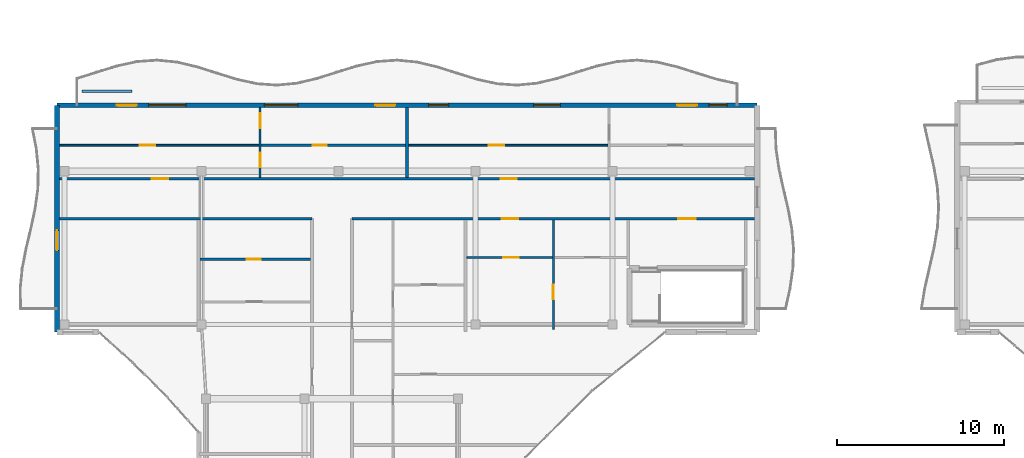
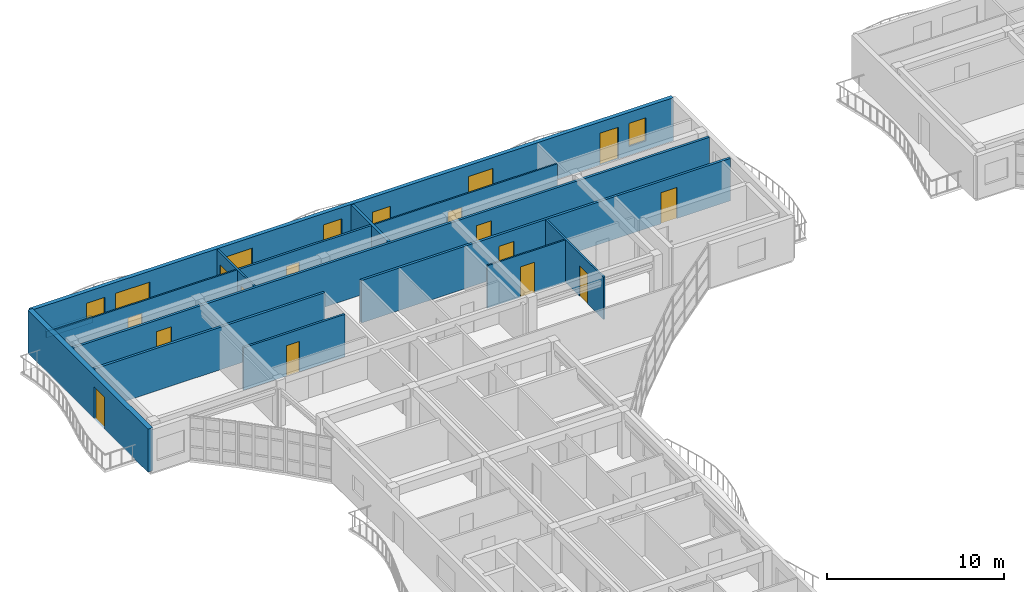
# One storey, part 27 of 49: 16 doors, 14 walls, 5 windows, 21 openings.
"""IFC4 building model written with IfcOpenShell, lengths in metres."""

from ifc_helpers import new_model, si_unit, direction, frame, frame_2d, origin, place, context, subcontext, project, spatial, rectangle, extrude, material, layer, layer_set, type_object, element, fill, save


model = new_model("IFC4")

# Units and contexts
model_context = context("Model", 3, precision=1e-05, world=origin(), true_north=direction((0.0, 1.0)))
body_context = subcontext(model_context, "Body", "Model", "MODEL_VIEW")
ifc_project = project(units=[si_unit("LENGTHUNIT", "METRE"), si_unit("AREAUNIT", "SQUARE_METRE"), si_unit("VOLUMEUNIT", "CUBIC_METRE"), si_unit("PLANEANGLEUNIT", "RADIAN"), si_unit("MASSUNIT", "GRAM", prefix="KILO")], contexts=[model_context])

# Site, building, storey
site_placement = place(None, origin())
site = spatial("IfcSite", under=ifc_project, at=site_placement, CompositionType="ELEMENT")
building_placement = place(site_placement, origin())
building = spatial("IfcBuilding", under=site, at=building_placement, Name="Keldmere Railside Commons", CompositionType="ELEMENT")
storey_placement = place(building_placement, frame((0.0, 0.0, 29.760009765625)))
storey = spatial("IfcBuildingStorey", under=building, at=storey_placement, Name="L09", CompositionType="ELEMENT", Elevation=29.760009765625)

# Wall
ifc_material_1 = material(Name="Acoustic Gypsum Board Partition", Category="gypsum")
ifc_layer_1 = layer(ifc_material_1, 0.179931640625, Name="Acoustic Demising Partition 180")
ifc_layer_set_1 = layer_set([ifc_layer_1], Name="Acoustic Gypsum Board Partition")
wall_type_1 = type_object("IfcWallType", Name="Acoustic Demising Partition 180", PredefinedType="PARTITIONING", material=ifc_layer_set_1)
wall_1_placement = place(storey_placement, frame((60.5, 109.280029296875, 0.0), z_axis=(0.0, 0.0, 1.0), x_axis=(0.0, 1.0, 0.0)))
element("IfcWall", 1, at=wall_1_placement, inside=storey, type_object=wall_type_1, Name="IW-1 IW-L09-0882", PredefinedType="PARTITIONING", context=body_context, shape_type="SweptSolid", body=[
    extrude(rectangle(XDim=4.18994140625, YDim=0.179931640625, at=frame_2d((2.094970703125, 0.0))), origin(), (0.0, 0.0, 1.0), 2.93505859375),
])

# Wall, openings, doors
ifc_layer_2 = layer(ifc_material_1, 0.1201171875, Name="Apartment Interior Partition 120")
ifc_layer_set_2 = layer_set([ifc_layer_2], Name="Acoustic Gypsum Board Partition")
wall_type_2 = type_object("IfcWallType", Name="Apartment Interior Partition 120", PredefinedType="PARTITIONING", material=ifc_layer_set_2)
wall_2_placement = place(storey_placement, frame((51.68994140625, 109.280029296875, 0.0), z_axis=(0.0, 0.0, 1.0), x_axis=(0.0, 1.0, 0.0)))
wall_2 = element("IfcWall", 2, at=wall_2_placement, inside=storey, type_object=wall_type_2, Name="IW-4 IW-L09-0883", PredefinedType="PARTITIONING", context=body_context, shape_type="SweptSolid", body=[
    extrude(rectangle(XDim=4.18994140625, YDim=0.1201171875, at=frame_2d((2.094970703125, 0.0))), origin(), (0.0, 0.0, 1.0), 2.93505859375),
])
opening_1_placement = place(wall_2_placement, frame((0.61767578125, 0.0, 0.0)))
opening_1 = element("IfcOpeningElement", 3, at=opening_1_placement, cuts=wall_2, Name="Opening ID-04", PredefinedType="OPENING", context=body_context, shape_type="SweptSolid", body=[
    extrude(rectangle(XDim=0.860107421875, YDim=2.10009765625, at=frame_2d((0.43017578125, 1.050048828125))), frame((0.0, 0.070068359375, 0.0), z_axis=(0.0, -1.0, 0.0), x_axis=(1.0, 0.0, 0.0)), (0.0, 0.0, 1.0), 0.14013671875),
])
opening_2_placement = place(wall_2_placement, frame((2.947021484375, 0.0, 0.0)))
opening_2 = element("IfcOpeningElement", 4, at=opening_2_placement, cuts=wall_2, Name="Opening ID-01", PredefinedType="OPENING", context=body_context, shape_type="SweptSolid", body=[
    extrude(rectangle(XDim=0.89990234375, YDim=2.10009765625, at=frame_2d((0.449951171875, 1.050048828125))), frame((0.0, 0.070068359375, 0.0), z_axis=(0.0, -1.0, 0.0), x_axis=(1.0, 0.0, 0.0)), (0.0, 0.0, 1.0), 0.14013671875),
])
ifc_material_2 = material(Name="Engineered Oak Timber", Category="wood")
door_type_1 = type_object("IfcDoorType", Name="Apartment Bathroom Door 860x2100", OperationType="NOTDEFINED", PredefinedType="DOOR", material=ifc_material_2)
door_1_placement = place(opening_1_placement, origin())
door_1 = element("IfcDoor", 5, at=door_1_placement, inside=storey, type_object=door_type_1, Name="ID-04 IDR-L09-0762", OperationType="SINGLE_SWING_RIGHT", OverallHeight=2.10009765625, OverallWidth=0.860107421875, PredefinedType="DOOR", context=body_context, shape_type="SweptSolid", body=[
    extrude(rectangle(XDim=0.860107421875, YDim=2.10009765625, at=frame_2d((0.43017578125, 1.050048828125))), frame((0.0, 0.02490234375, 0.0), z_axis=(0.0, -1.0, 0.0), x_axis=(1.0, 0.0, 0.0)), (0.0, 0.0, 1.0), 0.050048828125),
])
fill(opening_1, door_1)
door_type_2 = type_object("IfcDoorType", Name="Primary Bedroom Door 900x2100", OperationType="NOTDEFINED", PredefinedType="DOOR", material=ifc_material_2)
door_2_placement = place(opening_2_placement, origin())
door_2 = element("IfcDoor", 6, at=door_2_placement, inside=storey, type_object=door_type_2, Name="ID-01 IDR-L09-0763", OperationType="SINGLE_SWING_LEFT", OverallHeight=2.10009765625, OverallWidth=0.89990234375, PredefinedType="DOOR", context=body_context, shape_type="SweptSolid", body=[
    extrude(rectangle(XDim=0.89990234375, YDim=2.10009765625, at=frame_2d((0.449951171875, 1.050048828125))), frame((0.0, 0.02490234375, 0.0), z_axis=(0.0, -1.0, 0.0), x_axis=(1.0, 0.0, 0.0)), (0.0, 0.0, 1.0), 0.050048828125),
])
fill(opening_2, door_2)

# Wall, opening, door
wall_3_placement = place(storey_placement, frame((69.280029296875, 100.159912109375, 0.0), z_axis=(0.0, 0.0, 1.0), x_axis=(0.0, 1.0, 0.0)))
wall_3 = element("IfcWall", 7, at=wall_3_placement, inside=storey, type_object=wall_type_2, Name="IW-4 IW-L09-0889", PredefinedType="PARTITIONING", context=body_context, shape_type="SweptSolid", body=[
    extrude(rectangle(XDim=6.56005859375, YDim=0.1201171875, at=frame_2d((3.280029296875, 0.0))), origin(), (0.0, 0.0, 1.0), 2.93505859375),
])
opening_3_placement = place(wall_3_placement, frame((1.810302734375, 0.0, 0.0)))
opening_3 = element("IfcOpeningElement", 8, at=opening_3_placement, cuts=wall_3, Name="Opening ID-02", PredefinedType="OPENING", context=body_context, shape_type="SweptSolid", body=[
    extrude(rectangle(XDim=0.8798828125, YDim=2.10009765625, at=frame_2d((0.43994140625, 1.050048828125))), frame((0.0, 0.070068359375, 0.0), z_axis=(0.0, -1.0, 0.0), x_axis=(1.0, 0.0, 0.0)), (0.0, 0.0, 1.0), 0.14013671875),
])
door_type_3 = type_object("IfcDoorType", Name="Secondary Bedroom Door 880x2100", OperationType="NOTDEFINED", PredefinedType="DOOR", material=ifc_material_2)
door_3_placement = place(opening_3_placement, origin())
door_3 = element("IfcDoor", 9, at=door_3_placement, inside=storey, type_object=door_type_3, Name="ID-02 IDR-L09-0771", OperationType="SINGLE_SWING_LEFT", OverallHeight=2.10009765625, OverallWidth=0.8798828125, PredefinedType="DOOR", context=body_context, shape_type="SweptSolid", body=[
    extrude(rectangle(XDim=0.8798828125, YDim=2.10009765625, at=frame_2d((0.43994140625, 1.050048828125))), frame((0.0, 0.02490234375, 0.0), z_axis=(0.0, -1.0, 0.0), x_axis=(1.0, 0.0, 0.0)), (0.0, 0.0, 1.0), 0.050048828125),
])
fill(opening_3, door_3)

# Wall
ifc_material_3 = material(Name="White Precast Concrete H-35 (C35/45)", Category="concrete")
ifc_layer_3 = layer(ifc_material_3, 0.169921875, Name="Balcony Planter Kerb Wall 170")
ifc_layer_set_3 = layer_set([ifc_layer_3], Name="White Precast Concrete H-35 (C35/45)")
wall_type_3 = type_object("IfcWallType", Name="Balcony Planter Kerb Wall 170", PredefinedType="PARAPET", material=ifc_layer_set_3)
wall_4_placement = place(storey_placement, frame((41.0, 114.449951171875, 0.0), z_axis=(0.0, 0.0, 1.0), x_axis=(1.0, 0.0, 0.0)))
element("IfcWall", 10, at=wall_4_placement, inside=storey, type_object=wall_type_3, Name="PW-2 PKBC-L09-0405", PredefinedType="PARAPET", context=body_context, shape_type="SweptSolid", body=[
    extrude(rectangle(XDim=3.0, YDim=0.169921875, at=frame_2d((1.5, 0.0))), origin(), (0.0, 0.0, 1.0), 0.449951171875),
])

# Wall, opening, door
ifc_layer_4 = layer(ifc_material_1, 0.10009765625, Name="Closet Light Partition 100")
ifc_layer_set_4 = layer_set([ifc_layer_4], Name="Acoustic Gypsum Board Partition")
wall_type_4 = type_object("IfcWallType", Name="Closet Light Partition 100", PredefinedType="PARTITIONING", material=ifc_layer_set_4)
wall_5_placement = place(storey_placement, frame((39.659912109375, 111.2099609375, 0.0), z_axis=(0.0, 0.0, 1.0), x_axis=(1.0, 0.0, 0.0)))
wall_5 = element("IfcWall", 11, at=wall_5_placement, inside=storey, type_object=wall_type_4, Name="IW-6 IW-L09-0885", PredefinedType="PARTITIONING", context=body_context, shape_type="SweptSolid", body=[
    extrude(rectangle(XDim=11.969970703125, YDim=0.10009765625, at=frame_2d((5.98486328125, 0.0))), origin(), (0.0, 0.0, 1.0), 2.93505859375),
])
opening_4_placement = place(wall_5_placement, frame((4.81201171875, 0.0, 0.0)))
opening_4 = element("IfcOpeningElement", 12, at=opening_4_placement, cuts=wall_5, Name="Opening ID-03", PredefinedType="OPENING", context=body_context, shape_type="SweptSolid", body=[
    extrude(rectangle(XDim=0.919921875, YDim=2.10009765625, at=frame_2d((0.4599609375, 1.050048828125))), frame((0.0, 0.06005859375, 0.0), z_axis=(0.0, -1.0, 0.0), x_axis=(1.0, 0.0, 0.0)), (0.0, 0.0, 1.0), 0.1201171875),
])
door_type_4 = type_object("IfcDoorType", Name="Kitchen Pocket-Frame Swing Door 920x2100", OperationType="NOTDEFINED", PredefinedType="DOOR", material=ifc_material_2)
door_4_placement = place(opening_4_placement, origin())
door_4 = element("IfcDoor", 13, at=door_4_placement, inside=storey, type_object=door_type_4, Name="ID-03 IDR-L09-0761", OperationType="SINGLE_SWING_LEFT", OverallHeight=2.10009765625, OverallWidth=0.919921875, PredefinedType="DOOR", context=body_context, shape_type="SweptSolid", body=[
    extrude(rectangle(XDim=0.919921875, YDim=2.10009765625, at=frame_2d((0.4599609375, 1.050048828125))), frame((0.0, 0.02490234375, 0.0), z_axis=(0.0, -1.0, 0.0), x_axis=(1.0, 0.0, 0.0)), (0.0, 0.0, 1.0), 0.050048828125),
])
fill(opening_4, door_4)

wall_6_placement = place(storey_placement, frame((60.590087890625, 111.2099609375, 0.0), z_axis=(0.0, 0.0, 1.0), x_axis=(1.0, 0.0, 0.0)))
wall_6 = element("IfcWall", 14, at=wall_6_placement, inside=storey, type_object=wall_type_4, Name="IW-6 IW-L09-0888", PredefinedType="PARTITIONING", context=body_context, shape_type="SweptSolid", body=[
    extrude(rectangle(XDim=11.969970703125, YDim=0.10009765625, at=frame_2d((5.98486328125, 0.0))), origin(), (0.0, 0.0, 1.0), 2.93505859375),
])
opening_5_placement = place(wall_6_placement, frame((4.81201171875, 0.0, 0.0)))
opening_5 = element("IfcOpeningElement", 15, at=opening_5_placement, cuts=wall_6, Name="Opening ID-03", PredefinedType="OPENING", context=body_context, shape_type="SweptSolid", body=[
    extrude(rectangle(XDim=0.919921875, YDim=2.10009765625, at=frame_2d((0.4599609375, 1.050048828125))), frame((0.0, 0.06005859375, 0.0), z_axis=(0.0, -1.0, 0.0), x_axis=(1.0, 0.0, 0.0)), (0.0, 0.0, 1.0), 0.1201171875),
])
door_5_placement = place(opening_5_placement, origin())
door_5 = element("IfcDoor", 16, at=door_5_placement, inside=storey, type_object=door_type_4, Name="ID-03 IDR-L09-0766", OperationType="SINGLE_SWING_RIGHT", OverallHeight=2.10009765625, OverallWidth=0.919921875, PredefinedType="DOOR", context=body_context, shape_type="SweptSolid", body=[
    extrude(rectangle(XDim=0.919921875, YDim=2.10009765625, at=frame_2d((0.4599609375, 1.050048828125))), frame((0.0, 0.02490234375, 0.0), z_axis=(0.0, -1.0, 0.0), x_axis=(1.0, 0.0, 0.0)), (0.0, 0.0, 1.0), 0.050048828125),
])
fill(opening_5, door_5)

wall_7_placement = place(storey_placement, frame((64.090087890625, 104.469970703125, 0.0), z_axis=(0.0, 0.0, 1.0), x_axis=(1.0, 0.0, 0.0)))
wall_7 = element("IfcWall", 17, at=wall_7_placement, inside=storey, type_object=wall_type_4, Name="IW-6 IW-L09-0891", PredefinedType="PARTITIONING", context=body_context, shape_type="SweptSolid", body=[
    extrude(rectangle(XDim=5.1298828125, YDim=0.10009765625, at=frame_2d((2.56494140625, 0.0))), origin(), (0.0, 0.0, 1.0), 2.93505859375),
])
opening_6_placement = place(wall_7_placement, frame((2.1796875, 0.0, 0.0)))
opening_6 = element("IfcOpeningElement", 18, at=opening_6_placement, cuts=wall_7, Name="Opening ID-03", PredefinedType="OPENING", context=body_context, shape_type="SweptSolid", body=[
    extrude(rectangle(XDim=0.919921875, YDim=2.10009765625, at=frame_2d((0.4599609375, 1.050048828125))), frame((0.0, 0.06005859375, 0.0), z_axis=(0.0, -1.0, 0.0), x_axis=(1.0, 0.0, 0.0)), (0.0, 0.0, 1.0), 0.1201171875),
])
door_6_placement = place(opening_6_placement, origin())
door_6 = element("IfcDoor", 19, at=door_6_placement, inside=storey, type_object=door_type_4, Name="ID-03 IDR-L09-0770", OperationType="SINGLE_SWING_RIGHT", OverallHeight=2.10009765625, OverallWidth=0.919921875, PredefinedType="DOOR", context=body_context, shape_type="SweptSolid", body=[
    extrude(rectangle(XDim=0.919921875, YDim=2.10009765625, at=frame_2d((0.4599609375, 1.050048828125))), frame((0.0, 0.02490234375, 0.0), z_axis=(0.0, -1.0, 0.0), x_axis=(1.0, 0.0, 0.0)), (0.0, 0.0, 1.0), 0.050048828125),
])
fill(opening_6, door_6)

# Wall
ifc_layer_5 = layer(ifc_material_1, 0.159912109375, Name="Corridor Fire Partition 160")
ifc_layer_set_5 = layer_set([ifc_layer_5], Name="Acoustic Gypsum Board Partition")
wall_type_5 = type_object("IfcWallType", Name="Corridor Fire Partition 160", PredefinedType="PARTITIONING", material=ifc_layer_set_5)
wall_8_placement = place(storey_placement, frame((39.659912109375, 106.800048828125, 0.0), z_axis=(0.0, 0.0, 1.0), x_axis=(1.0, 0.0, 0.0)))
element("IfcWall", 20, at=wall_8_placement, inside=storey, type_object=wall_type_5, Name="IW-2 IW-L09-0861", PredefinedType="PARTITIONING", context=body_context, shape_type="SweptSolid", body=[
    extrude(rectangle(XDim=15.14013671875, YDim=0.159912109375, at=frame_2d((7.570068359375, 0.0))), origin(), (0.0, 0.0, 1.0), 2.93505859375),
])

# Wall, openings, doors
wall_9_placement = place(storey_placement, frame((57.199951171875, 106.800048828125, 0.0), z_axis=(0.0, 0.0, 1.0), x_axis=(1.0, 0.0, 0.0)))
wall_9 = element("IfcWall", 21, at=wall_9_placement, inside=storey, type_object=wall_type_5, Name="IW-2 IW-L09-0862", PredefinedType="PARTITIONING", context=body_context, shape_type="SweptSolid", body=[
    extrude(rectangle(XDim=24.14013671875, YDim=0.159912109375, at=frame_2d((12.070068359375, 0.0))), origin(), (0.0, 0.0, 1.0), 2.93505859375),
])
opening_7_placement = place(wall_9_placement, frame((19.574951171875, 0.0, 0.0)))
opening_7 = element("IfcOpeningElement", 22, at=opening_7_placement, cuts=wall_9, Name="Opening FD-1", PredefinedType="OPENING", context=body_context, shape_type="SweptSolid", body=[
    extrude(rectangle(XDim=1.050048828125, YDim=2.14990234375, at=frame_2d((0.52490234375, 1.074951171875))), frame((0.0, 0.08984375, 0.0), z_axis=(0.0, -1.0, 0.0), x_axis=(1.0, 0.0, 0.0)), (0.0, 0.0, 1.0), 0.179931640625),
])
opening_8_placement = place(wall_9_placement, frame((8.9951171875, 0.0, 0.0)))
opening_8 = element("IfcOpeningElement", 23, at=opening_8_placement, cuts=wall_9, Name="Opening FD-7", PredefinedType="OPENING", context=body_context, shape_type="SweptSolid", body=[
    extrude(rectangle(XDim=0.97998046875, YDim=2.14990234375, at=frame_2d((0.489990234375, 1.074951171875))), frame((0.0, 0.08984375, 0.0), z_axis=(0.0, -1.0, 0.0), x_axis=(1.0, 0.0, 0.0)), (0.0, 0.0, 1.0), 0.179931640625),
])
door_type_5 = type_object("IfcDoorType", Name="Apartment Entrance Acoustic Fire Door 980x2150", OperationType="NOTDEFINED", PredefinedType="DOOR", material=ifc_material_2)
door_7_placement = place(opening_8_placement, origin())
door_7 = element("IfcDoor", 24, at=door_7_placement, inside=storey, type_object=door_type_5, Name="FD-7 IDR-L09-0769", OperationType="SINGLE_SWING_LEFT", OverallHeight=2.14990234375, OverallWidth=0.97998046875, PredefinedType="DOOR", context=body_context, shape_type="SweptSolid", body=[
    extrude(rectangle(XDim=0.97998046875, YDim=2.14990234375, at=frame_2d((0.489990234375, 1.074951171875))), frame((0.0, 0.02490234375, 0.0), z_axis=(0.0, -1.0, 0.0), x_axis=(1.0, 0.0, 0.0)), (0.0, 0.0, 1.0), 0.050048828125),
])
fill(opening_8, door_7)
ifc_material_4 = material(Name="Steel F-24 (S235)", Category="steel")
door_type_6 = type_object("IfcDoorType", Name="Stair Core Fire Door 1050x2150", OperationType="NOTDEFINED", PredefinedType="DOOR", material=ifc_material_4)
door_8_placement = place(opening_7_placement, origin())
door_8 = element("IfcDoor", 25, at=door_8_placement, inside=storey, type_object=door_type_6, Name="FD-1 IDR-L09-0742", OperationType="SINGLE_SWING_RIGHT", OverallHeight=2.14990234375, OverallWidth=1.050048828125, PredefinedType="DOOR", context=body_context, shape_type="SweptSolid", body=[
    extrude(rectangle(XDim=1.050048828125, YDim=2.14990234375, at=frame_2d((0.52490234375, 1.074951171875))), frame((0.0, 0.02490234375, 0.0), z_axis=(0.0, -1.0, 0.0), x_axis=(1.0, 0.0, 0.0)), (0.0, 0.0, 1.0), 0.050048828125),
])
fill(opening_7, door_8)

wall_10_placement = place(storey_placement, frame((39.659912109375, 109.199951171875, 0.0), z_axis=(0.0, 0.0, 1.0), x_axis=(1.0, 0.0, 0.0)))
wall_10 = element("IfcWall", 26, at=wall_10_placement, inside=storey, type_object=wall_type_5, Name="IW-2 IW-L09-0863", PredefinedType="PARTITIONING", context=body_context, shape_type="SweptSolid", body=[
    extrude(rectangle(XDim=41.68017578125, YDim=0.159912109375, at=frame_2d((20.840087890625, 0.0))), origin(), (0.0, 0.0, 1.0), 2.93505859375),
])
opening_9_placement = place(wall_10_placement, frame((5.52490234375, 0.0, 0.0)))
opening_9 = element("IfcOpeningElement", 27, at=opening_9_placement, cuts=wall_10, Name="Opening FD-7", PredefinedType="OPENING", context=body_context, shape_type="SweptSolid", body=[
    extrude(rectangle(XDim=0.97998046875, YDim=2.14990234375, at=frame_2d((0.489990234375, 1.074951171875))), frame((0.0, 0.08984375, 0.0), z_axis=(0.0, -1.0, 0.0), x_axis=(1.0, 0.0, 0.0)), (0.0, 0.0, 1.0), 0.179931640625),
])
opening_10_placement = place(wall_10_placement, frame((26.455078125, 0.0, 0.0)))
opening_10 = element("IfcOpeningElement", 28, at=opening_10_placement, cuts=wall_10, Name="Opening FD-7", PredefinedType="OPENING", context=body_context, shape_type="SweptSolid", body=[
    extrude(rectangle(XDim=0.97998046875, YDim=2.14990234375, at=frame_2d((0.489990234375, 1.074951171875))), frame((0.0, 0.08984375, 0.0), z_axis=(0.0, -1.0, 0.0), x_axis=(1.0, 0.0, 0.0)), (0.0, 0.0, 1.0), 0.179931640625),
])
door_9_placement = place(opening_9_placement, origin())
door_9 = element("IfcDoor", 29, at=door_9_placement, inside=storey, type_object=door_type_5, Name="FD-7 IDR-L09-0760", OperationType="SINGLE_SWING_RIGHT", OverallHeight=2.14990234375, OverallWidth=0.97998046875, PredefinedType="DOOR", context=body_context, shape_type="SweptSolid", body=[
    extrude(rectangle(XDim=0.97998046875, YDim=2.14990234375, at=frame_2d((0.489990234375, 1.074951171875))), frame((0.0, 0.02490234375, 0.0), z_axis=(0.0, -1.0, 0.0), x_axis=(1.0, 0.0, 0.0)), (0.0, 0.0, 1.0), 0.050048828125),
])
fill(opening_9, door_9)
door_10_placement = place(opening_10_placement, origin())
door_10 = element("IfcDoor", 30, at=door_10_placement, inside=storey, type_object=door_type_5, Name="FD-7 IDR-L09-0765", OperationType="SINGLE_SWING_LEFT", OverallHeight=2.14990234375, OverallWidth=0.97998046875, PredefinedType="DOOR", context=body_context, shape_type="SweptSolid", body=[
    extrude(rectangle(XDim=0.97998046875, YDim=2.14990234375, at=frame_2d((0.489990234375, 1.074951171875))), frame((0.0, 0.02490234375, 0.0), z_axis=(0.0, -1.0, 0.0), x_axis=(1.0, 0.0, 0.0)), (0.0, 0.0, 1.0), 0.050048828125),
])
fill(opening_10, door_10)

# Wall, opening, door
ifc_material_5 = material(Name="Concrete H-35 (C35/45)", Category="concrete")
ifc_layer_6 = layer(ifc_material_5, 0.320068359375, Name="Exterior Shear Wall 320")
ifc_layer_set_6 = layer_set([ifc_layer_6], Name="Concrete H-35 (C35/45)")
wall_type_6 = type_object("IfcWallType", Name="Exterior Shear Wall 320", PredefinedType="SHEAR", material=ifc_layer_set_6)
wall_11_placement = place(storey_placement, frame((39.5, 100.0, 0.0), z_axis=(0.0, 0.0, 1.0), x_axis=(0.0, 1.0, 0.0)))
wall_11 = element("IfcWall", 31, at=wall_11_placement, inside=storey, type_object=wall_type_6, Name="ESW-2 EXTC-L09-0402", PredefinedType="SHEAR", context=body_context, shape_type="SweptSolid", body=[
    extrude(rectangle(XDim=13.60009765625, YDim=0.320068359375, at=frame_2d((6.800048828125, 0.0))), origin(), (0.0, 0.0, 1.0), 2.97998046875),
])
opening_11_placement = place(wall_11_placement, frame((4.89990234375, 0.0, 0.0)))
opening_11 = element("IfcOpeningElement", 32, at=opening_11_placement, cuts=wall_11, Name="Opening BD-01", PredefinedType="OPENING", context=body_context, shape_type="SweptSolid", body=[
    extrude(rectangle(XDim=1.199951171875, YDim=2.199951171875, at=frame_2d((0.60009765625, 1.10009765625))), frame((0.0, 0.169921875, 0.0), z_axis=(0.0, -1.0, 0.0), x_axis=(1.0, 0.0, 0.0)), (0.0, 0.0, 1.0), 0.340087890625),
])
ifc_material_6 = material(Name="Thermally Broken Aluminium", Category="aluminium")
door_type_7 = type_object("IfcDoorType", Name="Apartment Living Wave-Balcony Glazed Door 1200x2200", OperationType="NOTDEFINED", PredefinedType="DOOR", material=ifc_material_6)
door_11_placement = place(opening_11_placement, origin())
door_11 = element("IfcDoor", 33, at=door_11_placement, inside=storey, type_object=door_type_7, Name="BD-01 DR-L09-0121", OperationType="SINGLE_SWING_LEFT", OverallHeight=2.199951171875, OverallWidth=1.199951171875, PredefinedType="DOOR", context=body_context, shape_type="SweptSolid", body=[
    extrude(rectangle(XDim=1.199951171875, YDim=2.199951171875, at=frame_2d((0.60009765625, 1.10009765625))), frame((0.0, 0.02490234375, 0.0), z_axis=(0.0, -1.0, 0.0), x_axis=(1.0, 0.0, 0.0)), (0.0, 0.0, 1.0), 0.050048828125),
])
fill(opening_11, door_11)

# Wall, openings, windows, doors
ifc_material_7 = material(Name="Terracotta Brick Masonry", Category="masonry")
ifc_layer_7 = layer(ifc_material_7, 0.260009765625, Name="Terracotta Cavity Wall 260")
ifc_layer_set_7 = layer_set([ifc_layer_7], Name="Terracotta Brick Masonry")
wall_type_7 = type_object("IfcWallType", Name="Terracotta Cavity Wall 260", PredefinedType="SOLIDWALL", material=ifc_layer_set_7)
wall_12_placement = place(storey_placement, frame((39.5, 113.60009765625, 0.0), z_axis=(0.0, 0.0, 1.0), x_axis=(1.0, 0.0, 0.0)))
wall_12 = element("IfcWall", 34, at=wall_12_placement, inside=storey, type_object=wall_type_7, Name="EW-1 EXTC-L09-0401", PredefinedType="SOLIDWALL", context=body_context, shape_type="SweptSolid", body=[
    extrude(rectangle(XDim=42.0, YDim=0.260009765625, at=frame_2d((21.0, 0.0))), origin(), (0.0, 0.0, 1.0), 2.97998046875),
])
opening_12_placement = place(wall_12_placement, frame((3.60009765625, 0.0, 0.0)))
opening_12 = element("IfcOpeningElement", 35, at=opening_12_placement, cuts=wall_12, Name="Opening BD-01", PredefinedType="OPENING", context=body_context, shape_type="SweptSolid", body=[
    extrude(rectangle(XDim=1.199951171875, YDim=2.199951171875, at=frame_2d((0.60009765625, 1.10009765625))), frame((0.0, 0.139892578125, 0.0), z_axis=(0.0, -1.0, 0.0), x_axis=(1.0, 0.0, 0.0)), (0.0, 0.0, 1.0), 0.280029296875),
])
opening_13_placement = place(wall_12_placement, frame((5.5, 0.0, 0.719970703125)))
opening_13 = element("IfcOpeningElement", 36, at=opening_13_placement, cuts=wall_12, Name="Opening WN-12", PredefinedType="OPENING", context=body_context, shape_type="SweptSolid", body=[
    extrude(rectangle(XDim=2.25, YDim=1.5, at=frame_2d((1.125, 0.75))), frame((0.0, 0.139892578125, 0.0), z_axis=(0.0, -1.0, 0.0), x_axis=(1.0, 0.0, 0.0)), (0.0, 0.0, 1.0), 0.280029296875),
])
opening_14_placement = place(wall_12_placement, frame((12.449951171875, 0.0, 0.719970703125)))
opening_14 = element("IfcOpeningElement", 37, at=opening_14_placement, cuts=wall_12, Name="Opening WN-02", PredefinedType="OPENING", context=body_context, shape_type="SweptSolid", body=[
    extrude(rectangle(XDim=2.0, YDim=1.5, at=frame_2d((1.0, 0.75))), frame((0.0, 0.139892578125, 0.0), z_axis=(0.0, -1.0, 0.0), x_axis=(1.0, 0.0, 0.0)), (0.0, 0.0, 1.0), 0.280029296875),
])
opening_15_placement = place(wall_12_placement, frame((19.10009765625, 0.0, 0.0)))
opening_15 = element("IfcOpeningElement", 38, at=opening_15_placement, cuts=wall_12, Name="Opening BD-01", PredefinedType="OPENING", context=body_context, shape_type="SweptSolid", body=[
    extrude(rectangle(XDim=1.199951171875, YDim=2.199951171875, at=frame_2d((0.60009765625, 1.10009765625))), frame((0.0, 0.139892578125, 0.0), z_axis=(0.0, -1.0, 0.0), x_axis=(1.0, 0.0, 0.0)), (0.0, 0.0, 1.0), 0.280029296875),
])
opening_16_placement = place(wall_12_placement, frame((22.300048828125, 0.0, 0.89990234375)))
opening_16 = element("IfcOpeningElement", 39, at=opening_16_placement, cuts=wall_12, Name="Opening WN-14", PredefinedType="OPENING", context=body_context, shape_type="SweptSolid", body=[
    extrude(rectangle(XDim=1.199951171875, YDim=1.050048828125, at=frame_2d((0.60009765625, 0.52490234375))), frame((0.0, 0.139892578125, 0.0), z_axis=(0.0, -1.0, 0.0), x_axis=(1.0, 0.0, 0.0)), (0.0, 0.0, 1.0), 0.280029296875),
])
opening_17_placement = place(wall_12_placement, frame((28.60009765625, 0.0, 0.77001953125)))
opening_17 = element("IfcOpeningElement", 40, at=opening_17_placement, cuts=wall_12, Name="Opening WN-04", PredefinedType="OPENING", context=body_context, shape_type="SweptSolid", body=[
    extrude(rectangle(XDim=1.60009765625, YDim=1.449951171875, at=frame_2d((0.800048828125, 0.72509765625))), frame((0.0, 0.139892578125, 0.0), z_axis=(0.0, -1.0, 0.0), x_axis=(1.0, 0.0, 0.0)), (0.0, 0.0, 1.0), 0.280029296875),
])
opening_18_placement = place(wall_12_placement, frame((37.199951171875, 0.0, 0.0)))
opening_18 = element("IfcOpeningElement", 41, at=opening_18_placement, cuts=wall_12, Name="Opening BD-01", PredefinedType="OPENING", context=body_context, shape_type="SweptSolid", body=[
    extrude(rectangle(XDim=1.199951171875, YDim=2.199951171875, at=frame_2d((0.60009765625, 1.10009765625))), frame((0.0, 0.139892578125, 0.0), z_axis=(0.0, -1.0, 0.0), x_axis=(1.0, 0.0, 0.0)), (0.0, 0.0, 1.0), 0.280029296875),
])
opening_19_placement = place(wall_12_placement, frame((39.10009765625, 0.0, 0.6201171875)))
opening_19 = element("IfcOpeningElement", 42, at=opening_19_placement, cuts=wall_12, Name="Opening WN-16", PredefinedType="OPENING", context=body_context, shape_type="SweptSolid", body=[
    extrude(rectangle(XDim=1.10009765625, YDim=1.60009765625, at=frame_2d((0.550048828125, 0.800048828125))), frame((0.0, 0.139892578125, 0.0), z_axis=(0.0, -1.0, 0.0), x_axis=(1.0, 0.0, 0.0)), (0.0, 0.0, 1.0), 0.280029296875),
])
ifc_material_8 = material(Name="Low-E Insulated Double Glazing", Category="glass")
window_type_1 = type_object("IfcWindowType", Name="Apartment Kitchen Ribbon Window 1200x1050", PartitioningType="SINGLE_PANEL", PredefinedType="WINDOW", material=ifc_material_8)
window_1_placement = place(opening_16_placement, origin())
window_1 = element("IfcWindow", 43, at=window_1_placement, inside=storey, type_object=window_type_1, Name="WN-14 WIN-L09-0329", OverallHeight=1.050048828125, OverallWidth=1.199951171875, PartitioningType="SINGLE_PANEL", PredefinedType="WINDOW", context=body_context, shape_type="SweptSolid", body=[
    extrude(rectangle(XDim=1.199951171875, YDim=1.050048828125, at=frame_2d((0.60009765625, 0.52490234375))), frame((0.0, 0.030029296875, 0.0), z_axis=(0.0, -1.0, 0.0), x_axis=(1.0, 0.0, 0.0)), (0.0, 0.0, 1.0), 0.06005859375),
])
fill(opening_16, window_1)
door_12_placement = place(opening_12_placement, origin())
door_12 = element("IfcDoor", 44, at=door_12_placement, inside=storey, type_object=door_type_7, Name="BD-01 DR-L09-0118", OperationType="SINGLE_SWING_RIGHT", OverallHeight=2.199951171875, OverallWidth=1.199951171875, PredefinedType="DOOR", context=body_context, shape_type="SweptSolid", body=[
    extrude(rectangle(XDim=1.199951171875, YDim=2.199951171875, at=frame_2d((0.60009765625, 1.10009765625))), frame((0.0, 0.02490234375, 0.0), z_axis=(0.0, -1.0, 0.0), x_axis=(1.0, 0.0, 0.0)), (0.0, 0.0, 1.0), 0.050048828125),
])
fill(opening_12, door_12)
door_13_placement = place(opening_15_placement, origin())
door_13 = element("IfcDoor", 45, at=door_13_placement, inside=storey, type_object=door_type_7, Name="BD-01 DR-L09-0119", OperationType="SINGLE_SWING_LEFT", OverallHeight=2.199951171875, OverallWidth=1.199951171875, PredefinedType="DOOR", context=body_context, shape_type="SweptSolid", body=[
    extrude(rectangle(XDim=1.199951171875, YDim=2.199951171875, at=frame_2d((0.60009765625, 1.10009765625))), frame((0.0, 0.02490234375, 0.0), z_axis=(0.0, -1.0, 0.0), x_axis=(1.0, 0.0, 0.0)), (0.0, 0.0, 1.0), 0.050048828125),
])
fill(opening_15, door_13)
door_14_placement = place(opening_18_placement, origin())
door_14 = element("IfcDoor", 46, at=door_14_placement, inside=storey, type_object=door_type_7, Name="BD-01 DR-L09-0120", OperationType="SINGLE_SWING_RIGHT", OverallHeight=2.199951171875, OverallWidth=1.199951171875, PredefinedType="DOOR", context=body_context, shape_type="SweptSolid", body=[
    extrude(rectangle(XDim=1.199951171875, YDim=2.199951171875, at=frame_2d((0.60009765625, 1.10009765625))), frame((0.0, 0.02490234375, 0.0), z_axis=(0.0, -1.0, 0.0), x_axis=(1.0, 0.0, 0.0)), (0.0, 0.0, 1.0), 0.050048828125),
])
fill(opening_18, door_14)
window_type_2 = type_object("IfcWindowType", Name="Corridor End Daylight Window 1100x1600", PartitioningType="SINGLE_PANEL", PredefinedType="WINDOW", material=ifc_material_8)
window_2_placement = place(opening_19_placement, origin())
window_2 = element("IfcWindow", 47, at=window_2_placement, inside=storey, type_object=window_type_2, Name="WN-16 WIN-L09-0331", OverallHeight=1.60009765625, OverallWidth=1.10009765625, PartitioningType="SINGLE_PANEL", PredefinedType="WINDOW", context=body_context, shape_type="SweptSolid", body=[
    extrude(rectangle(XDim=1.10009765625, YDim=1.60009765625, at=frame_2d((0.550048828125, 0.800048828125))), frame((0.0, 0.030029296875, 0.0), z_axis=(0.0, -1.0, 0.0), x_axis=(1.0, 0.0, 0.0)), (0.0, 0.0, 1.0), 0.06005859375),
])
fill(opening_19, window_2)
window_type_3 = type_object("IfcWindowType", Name="Living Room South Casement Window 2000x1500", PartitioningType="SINGLE_PANEL", PredefinedType="WINDOW", material=ifc_material_8)
window_3_placement = place(opening_14_placement, origin())
window_3 = element("IfcWindow", 48, at=window_3_placement, inside=storey, type_object=window_type_3, Name="WN-02 WIN-L09-0328", OverallHeight=1.5, OverallWidth=2.0, PartitioningType="SINGLE_PANEL", PredefinedType="WINDOW", context=body_context, shape_type="SweptSolid", body=[
    extrude(rectangle(XDim=2.0, YDim=1.5, at=frame_2d((1.0, 0.75))), frame((0.0, 0.030029296875, 0.0), z_axis=(0.0, -1.0, 0.0), x_axis=(1.0, 0.0, 0.0)), (0.0, 0.0, 1.0), 0.06005859375),
])
fill(opening_14, window_3)
window_type_4 = type_object("IfcWindowType", Name="Living Room West Shaded Window 1600x1450", PartitioningType="SINGLE_PANEL", PredefinedType="WINDOW", material=ifc_material_8)
window_4_placement = place(opening_17_placement, origin())
window_4 = element("IfcWindow", 49, at=window_4_placement, inside=storey, type_object=window_type_4, Name="WN-04 WIN-L09-0330", OverallHeight=1.449951171875, OverallWidth=1.60009765625, PartitioningType="SINGLE_PANEL", PredefinedType="WINDOW", context=body_context, shape_type="SweptSolid", body=[
    extrude(rectangle(XDim=1.60009765625, YDim=1.449951171875, at=frame_2d((0.800048828125, 0.72509765625))), frame((0.0, 0.030029296875, 0.0), z_axis=(0.0, -1.0, 0.0), x_axis=(1.0, 0.0, 0.0)), (0.0, 0.0, 1.0), 0.06005859375),
])
fill(opening_17, window_4)
window_type_5 = type_object("IfcWindowType", Name="Studio Court Ribbon Window 2250x1500", PartitioningType="SINGLE_PANEL", PredefinedType="WINDOW", material=ifc_material_8)
window_5_placement = place(opening_13_placement, origin())
window_5 = element("IfcWindow", 50, at=window_5_placement, inside=storey, type_object=window_type_5, Name="WN-12 WIN-L09-0327", OverallHeight=1.5, OverallWidth=2.25, PartitioningType="SINGLE_PANEL", PredefinedType="WINDOW", context=body_context, shape_type="SweptSolid", body=[
    extrude(rectangle(XDim=2.25, YDim=1.5, at=frame_2d((1.125, 0.75))), frame((0.0, 0.030029296875, 0.0), z_axis=(0.0, -1.0, 0.0), x_axis=(1.0, 0.0, 0.0)), (0.0, 0.0, 1.0), 0.06005859375),
])
fill(opening_13, window_5)

# Wall, opening, door
ifc_layer_8 = layer(ifc_material_1, 0.139892578125, Name="Wet-Room Sanitary Partition 140")
ifc_layer_set_8 = layer_set([ifc_layer_8], Name="Acoustic Gypsum Board Partition")
wall_type_8 = type_object("IfcWallType", Name="Wet-Room Sanitary Partition 140", PredefinedType="PARTITIONING", material=ifc_layer_set_8)
wall_13_placement = place(storey_placement, frame((51.75, 111.2099609375, 0.0), z_axis=(0.0, 0.0, 1.0), x_axis=(1.0, 0.0, 0.0)))
wall_13 = element("IfcWall", 51, at=wall_13_placement, inside=storey, type_object=wall_type_8, Name="IW-5 IW-L09-0884", PredefinedType="PARTITIONING", context=body_context, shape_type="SweptSolid", body=[
    extrude(rectangle(XDim=8.659912109375, YDim=0.139892578125, at=frame_2d((4.330078125, 0.0))), origin(), (0.0, 0.0, 1.0), 2.93505859375),
])
opening_20_placement = place(wall_13_placement, frame((3.087890625, 0.0, 0.0)))
opening_20 = element("IfcOpeningElement", 52, at=opening_20_placement, cuts=wall_13, Name="Opening ID-06", PredefinedType="OPENING", context=body_context, shape_type="SweptSolid", body=[
    extrude(rectangle(XDim=0.85009765625, YDim=2.050048828125, at=frame_2d((0.425048828125, 1.02490234375))), frame((0.0, 0.079833984375, 0.0), z_axis=(0.0, -1.0, 0.0), x_axis=(1.0, 0.0, 0.0)), (0.0, 0.0, 1.0), 0.159912109375),
])
door_type_8 = type_object("IfcDoorType", Name="Storage Closet Door 850x2050", OperationType="NOTDEFINED", PredefinedType="DOOR", material=ifc_material_2)
door_15_placement = place(opening_20_placement, origin())
door_15 = element("IfcDoor", 53, at=door_15_placement, inside=storey, type_object=door_type_8, Name="ID-06 IDR-L09-0764", OperationType="SINGLE_SWING_RIGHT", OverallHeight=2.050048828125, OverallWidth=0.85009765625, PredefinedType="DOOR", context=body_context, shape_type="SweptSolid", body=[
    extrude(rectangle(XDim=0.85009765625, YDim=2.050048828125, at=frame_2d((0.425048828125, 1.02490234375))), frame((0.0, 0.02490234375, 0.0), z_axis=(0.0, -1.0, 0.0), x_axis=(1.0, 0.0, 0.0)), (0.0, 0.0, 1.0), 0.050048828125),
])
fill(opening_20, door_15)

wall_14_placement = place(storey_placement, frame((48.090087890625, 104.3701171875, 0.0), z_axis=(0.0, 0.0, 1.0), x_axis=(1.0, 0.0, 0.0)))
wall_14 = element("IfcWall", 54, at=wall_14_placement, inside=storey, type_object=wall_type_8, Name="IW-5 IW-L09-0896", PredefinedType="PARTITIONING", context=body_context, shape_type="SweptSolid", body=[
    extrude(rectangle(XDim=6.6298828125, YDim=0.139892578125, at=frame_2d((3.31494140625, 0.0))), origin(), (0.0, 0.0, 1.0), 2.93505859375),
])
opening_21_placement = place(wall_14_placement, frame((2.78466796875, 0.0, 0.0)))
opening_21 = element("IfcOpeningElement", 55, at=opening_21_placement, cuts=wall_14, Name="Opening ID-04", PredefinedType="OPENING", context=body_context, shape_type="SweptSolid", body=[
    extrude(rectangle(XDim=0.860107421875, YDim=2.10009765625, at=frame_2d((0.43017578125, 1.050048828125))), frame((0.0, 0.079833984375, 0.0), z_axis=(0.0, -1.0, 0.0), x_axis=(1.0, 0.0, 0.0)), (0.0, 0.0, 1.0), 0.159912109375),
])
door_16_placement = place(opening_21_placement, origin())
door_16 = element("IfcDoor", 56, at=door_16_placement, inside=storey, type_object=door_type_1, Name="ID-04 IDR-L09-0776", OperationType="SINGLE_SWING_RIGHT", OverallHeight=2.10009765625, OverallWidth=0.860107421875, PredefinedType="DOOR", context=body_context, shape_type="SweptSolid", body=[
    extrude(rectangle(XDim=0.860107421875, YDim=2.10009765625, at=frame_2d((0.43017578125, 1.050048828125))), frame((0.0, 0.02490234375, 0.0), z_axis=(0.0, -1.0, 0.0), x_axis=(1.0, 0.0, 0.0)), (0.0, 0.0, 1.0), 0.050048828125),
])
fill(opening_21, door_16)

save(model, "model.ifc")
